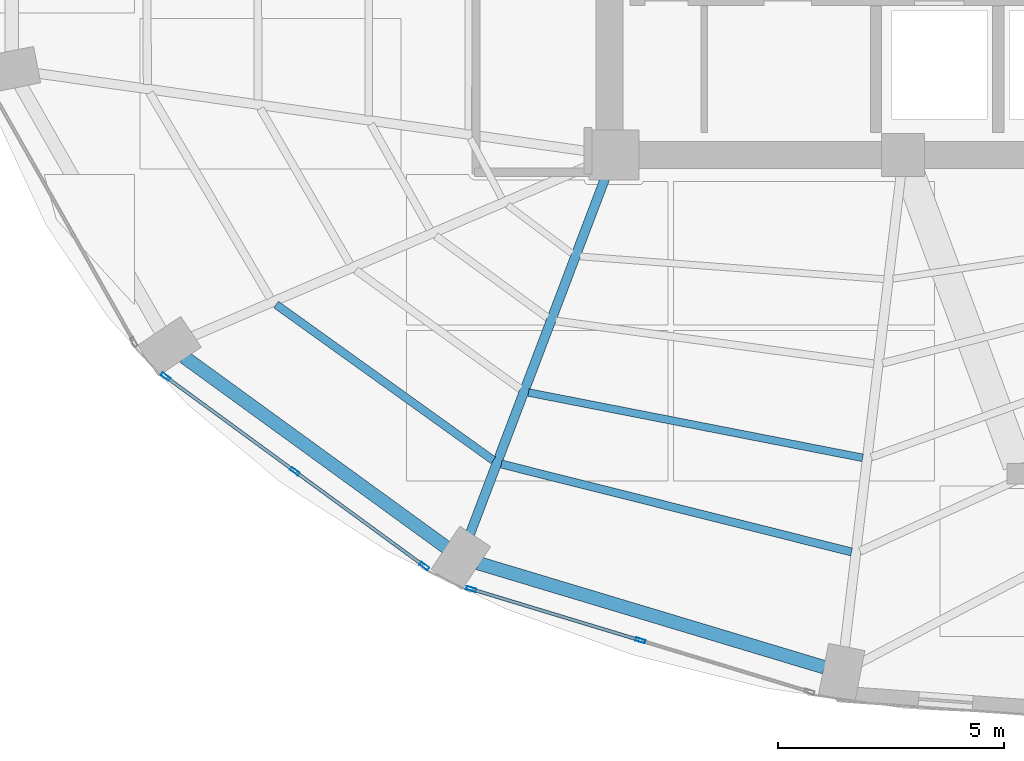
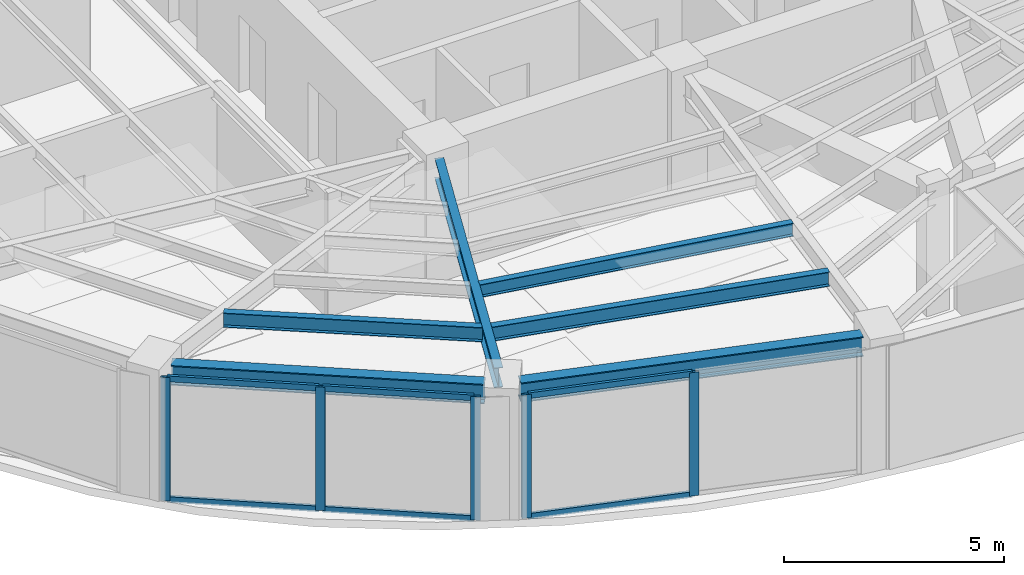
# One storey, part 2 of 20: 11 members, 6 beams, 2 elements without a shape of their own.
"""IFC4 building model written with IfcOpenShell, lengths in metres."""

import ifcopenshell
import ifcopenshell.guid

model = None  # the IFC model being written
_history = None  # IfcOwnerHistory: only IFC2X3 demands one
_inside = {}  # id of a spatial element -> (the spatial element, [elements in it])
_under = {}  # id of a project, library or spatial element -> (it, [spatial elements below it])
_declared = {}  # id of a project -> (the project, [libraries it declares])
_typed = {}  # id of a type object -> (the type object, [elements of that type])
_made_of = {}  # id of a material, layer set ... -> (it, [elements and type objects made of it])


def new_model(schema):
    """Start an empty IFC model of exactly this schema.

    Asked for "IFC4X3", IfcOpenShell would pick the latest addendum, in which some entities
    have other attributes; the version numbers below select the first issue.
    IFC2X3 requires an IfcOwnerHistory on every rooted entity: one is made here for all.
    """
    global model, _history
    if schema == "IFC4X3":
        model = ifcopenshell.file(schema_version=(4, 3, 0, 0))
    else:
        model = ifcopenshell.file(schema=schema)
    _inside.clear()
    _under.clear()
    _declared.clear()
    _typed.clear()
    _made_of.clear()
    _history = None
    if model.schema == "IFC2X3":
        org = make("IfcOrganization", Name="unknown")
        user = make(
            "IfcPersonAndOrganization",
            ThePerson=make("IfcPerson", FamilyName="unknown"),
            TheOrganization=org,
        )
        app = make(
            "IfcApplication",
            ApplicationDeveloper=org,
            Version="unknown",
            ApplicationFullName="unknown",
            ApplicationIdentifier="unknown",
        )
        _history = make(
            "IfcOwnerHistory",
            OwningUser=user,
            OwningApplication=app,
            ChangeAction="ADDED",
            CreationDate=0,
        )
    return model


def make(cls, **values):
    """One entity of the class cls with the attributes given. An attribute that is None is left unset."""
    return model.create_entity(
        cls, **{name: value for name, value in values.items() if value is not None}
    )


def rooted(cls, **values):
    """An entity with a GlobalId (a new one), such as an element, a storey or a relation."""
    return make(cls, GlobalId=ifcopenshell.guid.new(), OwnerHistory=_history, **values)


def si_unit(unit_type, name, prefix=None):
    """IfcSIUnit, for example si_unit("LENGTHUNIT", "METRE", prefix="MILLI")."""
    return make("IfcSIUnit", UnitType=unit_type, Prefix=prefix, Name=name)


def assignment(units):
    """IfcUnitAssignment: the units of a project."""
    return None if units is None else make("IfcUnitAssignment", Units=units)


def point(xyz):
    """IfcCartesianPoint."""
    return None if xyz is None else make("IfcCartesianPoint", Coordinates=xyz)


def direction(xyz):
    """IfcDirection."""
    return None if xyz is None else make("IfcDirection", DirectionRatios=xyz)


def frame(location, z_axis=None, x_axis=None):
    """IfcAxis2Placement3D, a coordinate frame: its origin and axes. An axis left out is left unset."""
    return make(
        "IfcAxis2Placement3D",
        Location=point(location),
        Axis=direction(z_axis),
        RefDirection=direction(x_axis),
    )


def frame_2d(location, x_axis=None):
    """IfcAxis2Placement2D, a coordinate frame in the plane: its origin and x axis."""
    return make(
        "IfcAxis2Placement2D", Location=point(location), RefDirection=direction(x_axis)
    )


def origin():
    """The frame at (0, 0, 0) with its axes left unset."""
    return frame((0.0, 0.0, 0.0))


def origin_2d():
    """The frame at (0, 0) in the plane with its x axis left unset."""
    return frame_2d((0.0, 0.0))


def place(relative_to, where):
    """IfcLocalPlacement: puts the frame where relative to a parent placement (None: the world)."""
    return make(
        "IfcLocalPlacement", PlacementRelTo=relative_to, RelativePlacement=where
    )


def context(
    kind, dimensions, precision=None, world=None, true_north=None, identifier=None
):
    """IfcGeometricRepresentationContext, for example the 3D "Model" context."""
    return make(
        "IfcGeometricRepresentationContext",
        ContextIdentifier=identifier,
        ContextType=kind,
        CoordinateSpaceDimension=dimensions,
        Precision=precision,
        WorldCoordinateSystem=world,
        TrueNorth=true_north,
    )


def subcontext(parent, identifier, kind, view, scale=None):
    """IfcGeometricRepresentationSubContext, for example "Body" below "Model"."""
    return make(
        "IfcGeometricRepresentationSubContext",
        ContextIdentifier=identifier,
        ContextType=kind,
        ParentContext=parent,
        TargetScale=scale,
        TargetView=view,
    )


def project(units=None, contexts=None):
    """IfcProject with its units and contexts."""
    return rooted(
        "IfcProject",
        Name="project",
        RepresentationContexts=contexts,
        UnitsInContext=assignment(units),
    )


def spatial(cls, under=None, at=None, **own):
    """A site, building, storey or space (cls), placed at a placement, below another one or the project."""
    s = rooted(cls, ObjectPlacement=at, **own)
    if under is not None:
        _under.setdefault(under.id(), (under, []))[1].append(s)
    return s


def profile(cls, at=None, kind="AREA", **sizes):
    """A parametric profile (cls). Its sizes go by their IFC names, for example OverallWidth=200.0."""
    return make(cls, ProfileType=kind, Position=at, **sizes)


def hollow_rectangle(**sizes):
    """IfcRectangleHollowProfileDef."""
    return profile("IfcRectangleHollowProfileDef", **sizes)


def i_section(**sizes):
    """IfcIShapeProfileDef."""
    return profile("IfcIShapeProfileDef", **sizes)


def extrude(swept, where, along, depth):
    """IfcExtrudedAreaSolid: the profile swept, set in the frame where, extruded along a direction by depth."""
    return make(
        "IfcExtrudedAreaSolid",
        SweptArea=swept,
        Position=where,
        ExtrudedDirection=direction(along),
        Depth=depth,
    )


def shape(context_of_items, identifier, shape_type, items):
    """IfcShapeRepresentation: the items that make up one representation, for example the "Body"."""
    return make(
        "IfcShapeRepresentation",
        ContextOfItems=context_of_items,
        RepresentationIdentifier=identifier,
        RepresentationType=shape_type,
        Items=items,
    )


def material(Name=None, Category=None):
    """IfcMaterial."""
    return make("IfcMaterial", Name=Name, Category=Category)


def layer(
    of_material, thickness, ventilated=None, Name=None, Category=None, Priority=None
):
    """IfcMaterialLayer: one layer of a wall or slab, of a material (None: an air gap)."""
    return make(
        "IfcMaterialLayer",
        Material=of_material,
        LayerThickness=thickness,
        IsVentilated=ventilated,
        Name=Name,
        Category=Category,
        Priority=Priority,
    )


def layer_set(layers, Name=None):
    """IfcMaterialLayerSet."""
    return make("IfcMaterialLayerSet", MaterialLayers=layers, LayerSetName=Name)


def material_profile(
    of_material, cross_section, Name=None, Category=None, Priority=None
):
    """IfcMaterialProfile: a cross section and its material."""
    return make(
        "IfcMaterialProfile",
        Name=Name,
        Material=of_material,
        Profile=cross_section,
        Priority=Priority,
        Category=Category,
    )


def profile_set(profiles, Name=None, composite=None):
    """IfcMaterialProfileSet."""
    return make(
        "IfcMaterialProfileSet",
        Name=Name,
        MaterialProfiles=profiles,
        CompositeProfile=composite,
    )


def made_of(thing, what):
    """Note that an element or type object is made of a material, layer set ...; save() writes the relation."""
    if what is not None:
        _made_of.setdefault(what.id(), (what, []))[1].append(thing)
    return thing


def type_object(cls, material=None, **own):
    """A type object (cls), such as IfcWallType, which elements share."""
    return made_of(rooted(cls, **own), material)


def element(
    cls,
    number,
    at=None,
    inside=None,
    cuts=None,
    type_object=None,
    material=None,
    context=None,
    identifier="Body",
    shape_type=None,
    held_by="IfcProductDefinitionShape",
    body=None,
    shapes=None,
    **own,
):
    """One element of the class cls, such as IfcWall. Its Tag is "e" and its number.

    at: its placement. inside: the storey or other place that contains it. cuts: it is an
    opening in that element (IfcRelVoidsElement). A single representation is given by context,
    identifier, shape_type and body (its items); several are given by shapes. held_by: the class
    of the entity that holds the representations. save() writes the other relations.
    """
    e = rooted(cls, Tag="e%d" % number, ObjectPlacement=at, **own)
    if body is not None:
        shapes = [shape(context, identifier, shape_type, body)]
    if shapes is not None:
        e.Representation = make(held_by, Representations=shapes)
    if inside is not None:
        _inside.setdefault(inside.id(), (inside, []))[1].append(e)
    if cuts is not None:
        rooted(
            "IfcRelVoidsElement", RelatingBuildingElement=cuts, RelatedOpeningElement=e
        )
    if type_object is not None:
        _typed.setdefault(type_object.id(), (type_object, []))[1].append(e)
    return made_of(e, material)


def aggregate(whole, parts):
    """IfcRelAggregates: a whole, such as a stair, and the parts it consists of."""
    return rooted("IfcRelAggregates", RelatingObject=whole, RelatedObjects=parts)


def save(model, path):
    """Write the relations noted so far, then the file.

    IfcRelAggregates (storeys below a building ...), IfcRelContainedInSpatialStructure (elements
    in a storey), IfcRelDefinesByType, IfcRelAssociatesMaterial and IfcRelDeclares: one each for
    every whole, place, type object, material and project.
    """
    for whole, parts in _under.values():
        aggregate(whole, parts)
    for where, things in _inside.values():
        rooted(
            "IfcRelContainedInSpatialStructure",
            RelatedElements=things,
            RelatingStructure=where,
        )
    for kind, things in _typed.values():
        rooted("IfcRelDefinesByType", RelatedObjects=things, RelatingType=kind)
    for what, things in _made_of.values():
        rooted("IfcRelAssociatesMaterial", RelatedObjects=things, RelatingMaterial=what)
    for by, libraries in _declared.values():
        rooted("IfcRelDeclares", RelatingContext=by, RelatedDefinitions=libraries)
    model.write(path)


model = new_model("IFC4")

# Units and contexts
model_context = context("Model", 3, precision=1e-05, world=origin(), true_north=direction((0.0, 1.0)))
body_context = subcontext(model_context, "Body", "Model", "MODEL_VIEW")
ifc_project = project(units=[si_unit("LENGTHUNIT", "METRE"), si_unit("AREAUNIT", "SQUARE_METRE"), si_unit("VOLUMEUNIT", "CUBIC_METRE"), si_unit("PLANEANGLEUNIT", "RADIAN"), si_unit("MASSUNIT", "GRAM", prefix="KILO")], contexts=[model_context])

# Site, building, storey
site_placement = place(None, origin())
site = spatial("IfcSite", under=ifc_project, at=site_placement, CompositionType="ELEMENT")
building_placement = place(site_placement, origin())
building = spatial("IfcBuilding", under=site, at=building_placement, Name="Lazwardi Medical Tower", CompositionType="ELEMENT")
storey_placement = place(building_placement, frame((0.0, 0.0, 160.176025390625)))
storey = spatial("IfcBuildingStorey", under=building, at=storey_placement, Name="L41", CompositionType="ELEMENT", Elevation=160.176025390625)

# Beams
ifc_material_1 = material(Name="Steel S355", Category="steel")
ifc_material_profile_1 = material_profile(ifc_material_1, i_section(OverallWidth=0.300048828125, OverallDepth=0.550048828125, WebThickness=0.014892578125, FlangeThickness=0.029052734375, at=origin_2d()), Name="HEB 550")
ifc_profile_set_1 = profile_set([ifc_material_profile_1], Name="Steel S355")
beam_type_1 = type_object("IfcBeamType", Name="BM-RB-Z3", PredefinedType="BEAM", material=ifc_profile_set_1)
beam_1_placement = place(storey_placement, frame((16.88818359375, 15.93408203125, 3.153076171875), z_axis=(0.809127570774, -0.587633026824, 0.0), x_axis=(0.587633026824, 0.809127570774, 0.0)))
element("IfcBeam", 1, at=beam_1_placement, inside=storey, type_object=beam_type_1, Name="Ring beam RB-04 B14 L41", PredefinedType="BEAM", context=body_context, shape_type="SweptSolid", body=[
    extrude(i_section(OverallWidth=0.300048828125, OverallDepth=0.550048828125, WebThickness=0.014892578125, FlangeThickness=0.029052734375, at=origin_2d()), origin(), (0.0, 0.0, 1.0), 7.170166015625),
])
beam_2_placement = place(storey_placement, frame((23.396484375, 11.37060546875, 3.153076171875), z_axis=(0.957616873483, -0.288045002771, 0.0), x_axis=(0.288045002771, 0.957616873483, 0.0)))
element("IfcBeam", 2, at=beam_2_placement, inside=storey, type_object=beam_type_1, Name="Ring beam RB-04 B15 L41", PredefinedType="BEAM", context=body_context, shape_type="SweptSolid", body=[
    extrude(i_section(OverallWidth=0.300048828125, OverallDepth=0.550048828125, WebThickness=0.014892578125, FlangeThickness=0.029052734375, at=origin_2d()), origin(), (0.0, 0.0, 1.0), 7.99951171875),
])
ifc_material_profile_2 = material_profile(ifc_material_1, i_section(OverallWidth=0.2099609375, OverallDepth=0.550048828125, WebThickness=0.010986328125, FlangeThickness=0.01708984375, at=origin_2d()), Name="IPE 550")
ifc_profile_set_2 = profile_set([ifc_material_profile_2], Name="Steel S355")
beam_type_2 = type_object("IfcBeamType", Name="BM-RG-W2", PredefinedType="BEAM", material=ifc_profile_set_2)
beam_3_placement = place(storey_placement, frame((23.21240234375, 12.00927734375, 3.153076171875), z_axis=(0.355126771712, 0.934818151307, 0.0), x_axis=(-0.934818151307, 0.355126771712, 0.0)))
element("IfcBeam", 3, at=beam_3_placement, inside=storey, type_object=beam_type_2, Name="Radial girder RG-03 R15 L41", PredefinedType="BEAM", context=body_context, shape_type="SweptSolid", body=[
    extrude(i_section(OverallWidth=0.2099609375, OverallDepth=0.550048828125, WebThickness=0.010986328125, FlangeThickness=0.01708984375, at=origin_2d()), origin(), (0.0, 0.0, 1.0), 8.44091796875),
])
ifc_material_profile_3 = material_profile(ifc_material_1, i_section(OverallWidth=0.179931640625, OverallDepth=0.39990234375, WebThickness=0.008544921875, FlangeThickness=0.013427734375, at=origin_2d()), Name="IPE 400")
ifc_profile_set_3 = profile_set([ifc_material_profile_3], Name="Steel S355")
beam_type_3 = type_object("IfcBeamType", Name="BM-SJ-01", PredefinedType="JOIST", material=ifc_profile_set_3)
beam_4_placement = place(storey_placement, frame((18.926025390625, 17.091796875, 3.22802734375), z_axis=(0.812602017757, -0.582818977675, 0.0), x_axis=(0.582818977675, 0.812602017757, 0.0)))
element("IfcBeam", 4, at=beam_4_placement, inside=storey, type_object=beam_type_3, Name="Secondary joist SJ-01 R1 B14 L41", PredefinedType="JOIST", context=body_context, shape_type="SweptSolid", body=[
    extrude(i_section(OverallWidth=0.179931640625, OverallDepth=0.39990234375, WebThickness=0.008544921875, FlangeThickness=0.013427734375, at=origin_2d()), origin(), (0.0, 0.0, 1.0), 5.91259765625),
])
beam_5_placement = place(storey_placement, frame((23.908935546875, 13.56298828125, 3.22802734375), z_axis=(0.969933596942, -0.243369713652, 0.0), x_axis=(0.243369713652, 0.969933596942, 0.0)))
element("IfcBeam", 5, at=beam_5_placement, inside=storey, type_object=beam_type_3, Name="Secondary joist SJ-01 R1 B15 L41", PredefinedType="JOIST", context=body_context, shape_type="SweptSolid", body=[
    extrude(i_section(OverallWidth=0.179931640625, OverallDepth=0.39990234375, WebThickness=0.008544921875, FlangeThickness=0.013427734375, at=origin_2d()), origin(), (0.0, 0.0, 1.0), 7.98828125),
])
ifc_material_profile_4 = material_profile(ifc_material_1, i_section(OverallWidth=0.169921875, OverallDepth=0.360107421875, WebThickness=0.008056640625, FlangeThickness=0.0126953125, at=origin_2d()), Name="IPE 360")
ifc_profile_set_4 = profile_set([ifc_material_profile_4], Name="Steel S355")
beam_type_4 = type_object("IfcBeamType", Name="BM-SJ-02", PredefinedType="JOIST", material=ifc_profile_set_4)
beam_6_placement = place(storey_placement, frame((24.509521484375, 15.146484375, 3.248046875), z_axis=(0.98141534692, -0.191895588353, 0.0), x_axis=(0.191895588353, 0.98141534692, 0.0)))
element("IfcBeam", 6, at=beam_6_placement, inside=storey, type_object=beam_type_4, Name="Secondary joist SJ-02 R2 B15 L41", PredefinedType="JOIST", context=body_context, shape_type="SweptSolid", body=[
    extrude(i_section(OverallWidth=0.169921875, OverallDepth=0.360107421875, WebThickness=0.008056640625, FlangeThickness=0.0126953125, at=origin_2d()), origin(), (0.0, 0.0, 1.0), 7.534423828125),
])

# Curtain wall, members
ifc_material_2 = material(Name="Anodised bronze aluminium and solar control glazing", Category="aluminium")
ifc_layer = layer(ifc_material_2, 0.195068359375)
ifc_layer_set = layer_set([ifc_layer], Name="Anodised bronze aluminium and solar control glazing")
curtain_wall_type = type_object("IfcCurtainWallType", Name="CW-SYS-03", PredefinedType="NOTDEFINED", material=ifc_layer_set)
curtain_wall_1_placement = place(storey_placement, origin())
curtain_wall_1 = element("IfcCurtainWall", 7, at=curtain_wall_1_placement, inside=storey, type_object=curtain_wall_type, Name="L41 Unitised bronze curtain wall CW-03", PredefinedType="NOTDEFINED")
ifc_material_3 = material(Name="Anodised bronze aluminium", Category="aluminium")
ifc_material_profile_5 = material_profile(ifc_material_3, hollow_rectangle(XDim=0.074951171875, YDim=0.219970703125, WallThickness=0.00390625, at=origin_2d()), Name="ALU-MULLION 220x75x4")
ifc_profile_set_5 = profile_set([ifc_material_profile_5], Name="Anodised bronze aluminium")
member_type_1 = type_object("IfcMemberType", Name="CW-MUL-01", PredefinedType="MULLION", material=ifc_profile_set_5)
member_1_placement = place(storey_placement, frame((16.480224609375, 15.4970703125, 0.0), z_axis=(0.0, 0.0, 1.0), x_axis=(0.590833862635, 0.806793249082, 0.0)))
member_1 = element("IfcMember", 8, at=member_1_placement, type_object=member_type_1, Name="CW-03 mullion 1", PredefinedType="MULLION", context=body_context, shape_type="SweptSolid", body=[
    extrude(hollow_rectangle(XDim=0.074951171875, YDim=0.219970703125, WallThickness=0.00390625, at=origin_2d()), origin(), (0.0, 0.0, 1.0), 3.427978515625),
])
member_2_placement = place(storey_placement, frame((19.34228515625, 13.401123046875, 0.0), z_axis=(0.0, 0.0, 1.0), x_axis=(0.590833862635, 0.806793249082, 0.0)))
member_2 = element("IfcMember", 9, at=member_2_placement, type_object=member_type_1, Name="CW-03 mullion 2", PredefinedType="MULLION", context=body_context, shape_type="SweptSolid", body=[
    extrude(hollow_rectangle(XDim=0.074951171875, YDim=0.219970703125, WallThickness=0.00390625, at=origin_2d()), origin(), (0.0, 0.0, 1.0), 3.427978515625),
])
member_3_placement = place(storey_placement, frame((22.204345703125, 11.30517578125, 0.0), z_axis=(0.0, 0.0, 1.0), x_axis=(0.590833862635, 0.806793249082, 0.0)))
member_3 = element("IfcMember", 10, at=member_3_placement, type_object=member_type_1, Name="CW-03 mullion 3", PredefinedType="MULLION", context=body_context, shape_type="SweptSolid", body=[
    extrude(hollow_rectangle(XDim=0.074951171875, YDim=0.219970703125, WallThickness=0.00390625, at=origin_2d()), origin(), (0.0, 0.0, 1.0), 3.427978515625),
])

curtain_wall_2_placement = place(storey_placement, origin())
curtain_wall_2 = element("IfcCurtainWall", 11, at=curtain_wall_2_placement, inside=storey, type_object=curtain_wall_type, Name="L41 Unitised bronze curtain wall CW-03", PredefinedType="NOTDEFINED")
member_4_placement = place(storey_placement, frame((23.241943359375, 10.796630859375, 0.0), z_axis=(0.0, 0.0, 1.0), x_axis=(0.290280785441, 0.956941516292, 0.0)))
member_4 = element("IfcMember", 12, at=member_4_placement, type_object=member_type_1, Name="CW-03 mullion 1", PredefinedType="MULLION", context=body_context, shape_type="SweptSolid", body=[
    extrude(hollow_rectangle(XDim=0.074951171875, YDim=0.219970703125, WallThickness=0.00390625, at=origin_2d()), origin(), (0.0, 0.0, 1.0), 3.427978515625),
])
member_5_placement = place(storey_placement, frame((26.98486328125, 9.661376953125, 0.0), z_axis=(0.0, 0.0, 1.0), x_axis=(0.290280785441, 0.956941516292, 0.0)))
member_5 = element("IfcMember", 13, at=member_5_placement, type_object=member_type_1, Name="CW-03 mullion 2", PredefinedType="MULLION", context=body_context, shape_type="SweptSolid", body=[
    extrude(hollow_rectangle(XDim=0.074951171875, YDim=0.219970703125, WallThickness=0.00390625, at=origin_2d()), origin(), (0.0, 0.0, 1.0), 3.427978515625),
])

# Member
ifc_material_profile_6 = material_profile(ifc_material_3, hollow_rectangle(XDim=0.074951171875, YDim=0.159912109375, WallThickness=0.00390625, at=origin_2d()), Name="ALU-TRANSOM 160x75x4")
ifc_profile_set_6 = profile_set([ifc_material_profile_6], Name="Anodised bronze aluminium")
member_type_2 = type_object("IfcMemberType", Name="CW-TRN-01", PredefinedType="USERDEFINED", material=ifc_profile_set_6)
member_6_placement = place(storey_placement, frame((16.510498046875, 15.474853515625, 0.037353515625), z_axis=(0.806807161185, -0.590814864962, 0.0), x_axis=(0.590814864962, 0.806807161185, 0.0)))
member_6 = element("IfcMember", 14, at=member_6_placement, type_object=member_type_2, Name="CW-03 transom 1.1", ObjectType="TRANSOM", PredefinedType="USERDEFINED", context=body_context, shape_type="SweptSolid", body=[
    extrude(hollow_rectangle(XDim=0.074951171875, YDim=0.159912109375, WallThickness=0.00390625, at=origin_2d()), origin(), (0.0, 0.0, 1.0), 3.472412109375),
])

member_7_placement = place(storey_placement, frame((16.510498046875, 15.474853515625, 3.390380859375), z_axis=(0.806807161185, -0.590814864962, 0.0), x_axis=(0.590814864962, 0.806807161185, 0.0)))
member_7 = element("IfcMember", 15, at=member_7_placement, type_object=member_type_2, Name="CW-03 transom 1.2", ObjectType="TRANSOM", PredefinedType="USERDEFINED", context=body_context, shape_type="SweptSolid", body=[
    extrude(hollow_rectangle(XDim=0.074951171875, YDim=0.159912109375, WallThickness=0.00390625, at=origin_2d()), origin(), (0.0, 0.0, 1.0), 3.472412109375),
])

member_8_placement = place(storey_placement, frame((19.37255859375, 13.37890625, 0.037353515625), z_axis=(0.806807161185, -0.590814864962, 0.0), x_axis=(0.590814864962, 0.806807161185, 0.0)))
member_8 = element("IfcMember", 16, at=member_8_placement, type_object=member_type_2, Name="CW-03 transom 2.1", ObjectType="TRANSOM", PredefinedType="USERDEFINED", context=body_context, shape_type="SweptSolid", body=[
    extrude(hollow_rectangle(XDim=0.074951171875, YDim=0.159912109375, WallThickness=0.00390625, at=origin_2d()), origin(), (0.0, 0.0, 1.0), 3.472412109375),
])

member_9_placement = place(storey_placement, frame((19.37255859375, 13.37890625, 3.390380859375), z_axis=(0.806807161185, -0.590814864962, 0.0), x_axis=(0.590814864962, 0.806807161185, 0.0)))
member_9 = element("IfcMember", 17, at=member_9_placement, type_object=member_type_2, Name="CW-03 transom 2.2", ObjectType="TRANSOM", PredefinedType="USERDEFINED", context=body_context, shape_type="SweptSolid", body=[
    extrude(hollow_rectangle(XDim=0.074951171875, YDim=0.159912109375, WallThickness=0.00390625, at=origin_2d()), origin(), (0.0, 0.0, 1.0), 3.472412109375),
])

aggregate(curtain_wall_1, [member_1, member_2, member_3, member_6, member_7, member_8, member_9])

member_10_placement = place(storey_placement, frame((23.27783203125, 10.785888671875, 0.037353515625), z_axis=(0.956930154175, -0.290318239233, 0.0), x_axis=(0.290318239233, 0.956930154175, 0.0)))
member_10 = element("IfcMember", 18, at=member_10_placement, type_object=member_type_2, Name="CW-03 transom 1.1", ObjectType="TRANSOM", PredefinedType="USERDEFINED", context=body_context, shape_type="SweptSolid", body=[
    extrude(hollow_rectangle(XDim=0.074951171875, YDim=0.159912109375, WallThickness=0.00390625, at=origin_2d()), origin(), (0.0, 0.0, 1.0), 3.83642578125),
])

member_11_placement = place(storey_placement, frame((23.27783203125, 10.785888671875, 3.390380859375), z_axis=(0.956930154175, -0.290318239233, 0.0), x_axis=(0.290318239233, 0.956930154175, 0.0)))
member_11 = element("IfcMember", 19, at=member_11_placement, type_object=member_type_2, Name="CW-03 transom 1.2", ObjectType="TRANSOM", PredefinedType="USERDEFINED", context=body_context, shape_type="SweptSolid", body=[
    extrude(hollow_rectangle(XDim=0.074951171875, YDim=0.159912109375, WallThickness=0.00390625, at=origin_2d()), origin(), (0.0, 0.0, 1.0), 3.83642578125),
])

aggregate(curtain_wall_2, [member_4, member_5, member_10, member_11])

save(model, "model.ifc")
